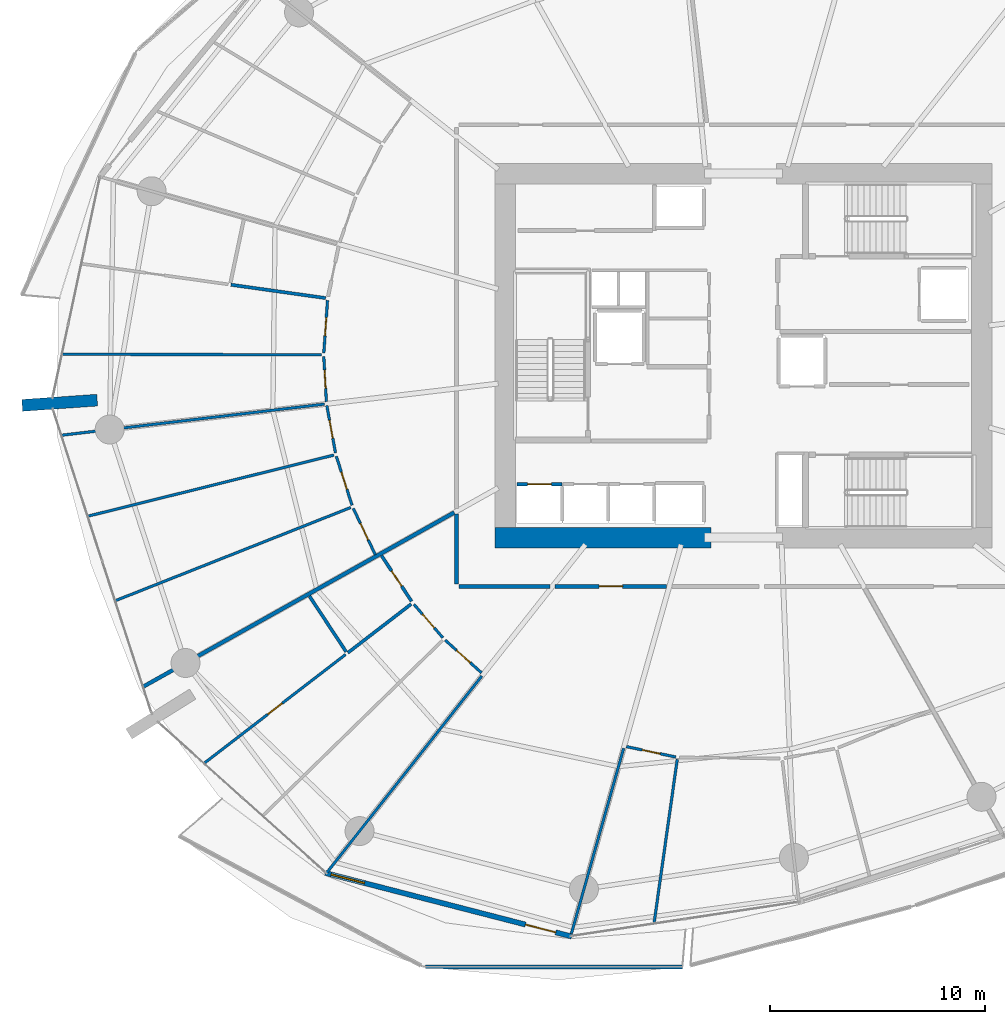
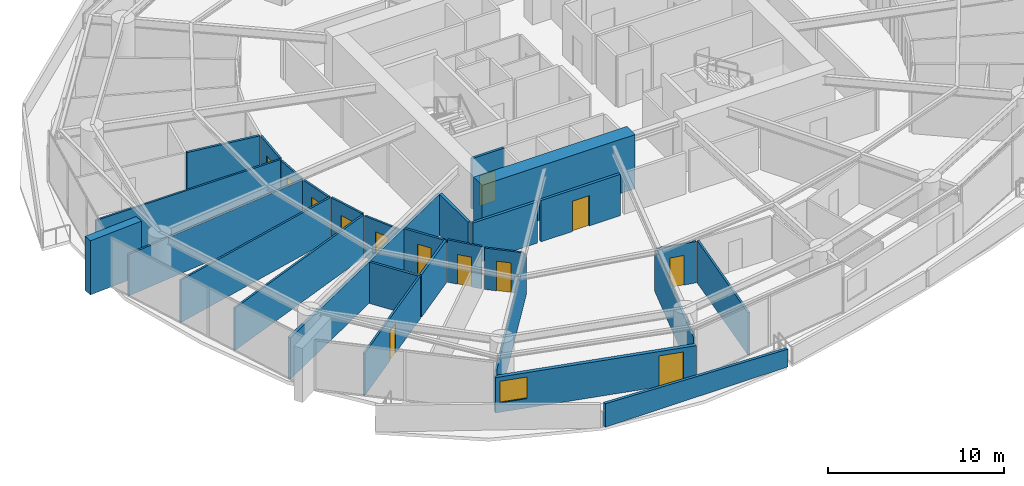
# One storey, part 19 of 31: 29 walls, 13 doors, 1 window, 14 openings.
"""IFC4 building model written with IfcOpenShell, lengths in metres."""

from ifc_helpers import new_model, si_unit, direction, frame, frame_2d, origin, place, context, subcontext, project, spatial, polyline, rectangle, outline, extrude, material, layer, layer_set, type_object, element, fill, save


model = new_model("IFC4")

# Units and contexts
model_context = context("Model", 3, precision=1e-05, world=origin(), true_north=direction((0.0, 1.0)))
body_context = subcontext(model_context, "Body", "Model", "MODEL_VIEW")
ifc_project = project(units=[si_unit("LENGTHUNIT", "METRE"), si_unit("AREAUNIT", "SQUARE_METRE"), si_unit("VOLUMEUNIT", "CUBIC_METRE"), si_unit("PLANEANGLEUNIT", "RADIAN"), si_unit("MASSUNIT", "GRAM", prefix="KILO")], contexts=[model_context])

# Site, building, storey
site_placement = place(None, origin())
site = spatial("IfcSite", under=ifc_project, at=site_placement, CompositionType="ELEMENT")
building_placement = place(site_placement, origin())
building = spatial("IfcBuilding", under=site, at=building_placement, Name="Kazma Halo Residences", CompositionType="ELEMENT")
storey_placement = place(building_placement, frame((0.0, 0.0, 60.14990234375)))
storey = spatial("IfcBuildingStorey", under=building, at=storey_placement, Name="L14", CompositionType="ELEMENT", Elevation=60.14990234375)

# Walls
ifc_material_1 = material(Name="White Concrete C50/60 Balustrade", Category="concrete")
ifc_layer_1 = layer(ifc_material_1, 0.179931640625)
ifc_layer_set_1 = layer_set([ifc_layer_1], Name="White Concrete C50/60 Balustrade")
wall_type_1 = type_object("IfcWallType", Name="WL-BAL-WAVE-180", PredefinedType="PARAPET", material=ifc_layer_set_1)
wall_1_placement = place(storey_placement, frame((33.615478515625, 13.533203125, 0.0), z_axis=(0.0, 0.0, 1.0), x_axis=(0.999999859357, -0.000530363224, 0.0)))
element("IfcWall", 1, at=wall_1_placement, inside=storey, type_object=wall_type_1, Name="L14 white wave balustrade wall SW.2", PredefinedType="PARAPET", context=body_context, shape_type="SweptSolid", body=[
    extrude(outline(polyline([(0.0, 0.0), (11.968505859375, 0.0), (11.968505859375, 1.233154296875), (5.984375, 1.418212890625), (0.0, 1.632080078125), (0.0, 0.0)])), frame((0.0, 0.08984375, 0.0), z_axis=(0.0, -1.0, 0.0), x_axis=(1.0, 0.0, 0.0)), (0.0, 0.0, 1.0), 0.179931640625),
])
ifc_material_2 = material(Name="Pale Concrete C60/75", Category="concrete")
ifc_layer_2 = layer(ifc_material_2, 0.550048828125)
ifc_layer_set_2 = layer_set([ifc_layer_2], Name="Pale Concrete C60/75")
wall_type_2 = type_object("IfcWallType", Name="WL-BLADE-550", PredefinedType="SOLIDWALL", material=ifc_layer_set_2)
wall_2_placement = place(storey_placement, frame((18.322021484375, 39.9248046875, 0.0), z_axis=(0.0, 0.0, 1.0), x_axis=(-0.997564163539, -0.069754853754, 0.0)))
element("IfcWall", 2, at=wall_2_placement, inside=storey, type_object=wall_type_2, Name="L14 pale concrete structural blade fin wall BW-02", PredefinedType="SOLIDWALL", context=body_context, shape_type="SweptSolid", body=[
    extrude(rectangle(XDim=3.5, YDim=0.550048828125, at=frame_2d((1.75, 0.0))), origin(), (0.0, 0.0, 1.0), 3.75),
])
ifc_material_3 = material(Name="Concrete C80/95", Category="concrete")
ifc_layer_3 = layer(ifc_material_3, 0.949951171875)
ifc_layer_set_3 = layer_set([ifc_layer_3], Name="Concrete C80/95")
wall_type_3 = type_object("IfcWallType", Name="WL-CORE-950", PredefinedType="SHEAR", material=ifc_layer_set_3)
wall_3_placement = place(storey_placement, frame((36.85009765625, 33.52490234375, 0.0), z_axis=(0.0, 0.0, 1.0), x_axis=(1.0, 0.0, 0.0)))
element("IfcWall", 3, at=wall_3_placement, inside=storey, type_object=wall_type_3, Name="L14 central core shear wall SW", PredefinedType="SHEAR", context=body_context, shape_type="SweptSolid", body=[
    extrude(rectangle(XDim=10.0498046875, YDim=0.949951171875, at=frame_2d((5.02490234375, 0.0))), origin(), (0.0, 0.0, 1.0), 3.75),
])
ifc_material_4 = material(Name="Acoustic Twin-Stud Gypsum")
ifc_layer_4 = layer(ifc_material_4, 0.179931640625)
ifc_layer_set_4 = layer_set([ifc_layer_4], Name="Acoustic Twin-Stud Gypsum")
wall_type_4 = type_object("IfcWallType", Name="WL-DEM-180", PredefinedType="PARTITIONING", material=ifc_layer_set_4)
wall_4_placement = place(storey_placement, frame((34.9541015625, 34.694091796875, 0.0), z_axis=(0.0, 0.0, 1.0), x_axis=(-0.872493465611, -0.488625779577, 0.0)))
element("IfcWall", 4, at=wall_4_placement, inside=storey, type_object=wall_type_4, Name="L14 apartment demising radial wall 08", PredefinedType="PARTITIONING", context=body_context, shape_type="SweptSolid", body=[
    extrude(rectangle(XDim=16.586181640625, YDim=0.179931640625, at=frame_2d((8.29296875, 0.0))), origin(), (0.0, 0.0, 1.0), 2.8671875),
])

# Wall, opening, door
wall_5_placement = place(storey_placement, frame((39.6455078125, 31.25, 0.0), z_axis=(0.0, 0.0, 1.0), x_axis=(1.0, 0.0, 0.0)))
wall_5 = element("IfcWall", 5, at=wall_5_placement, inside=storey, type_object=wall_type_4, Name="L14 Apartment 2 entrance corridor wall", PredefinedType="PARTITIONING", context=body_context, shape_type="SweptSolid", body=[
    extrude(rectangle(XDim=5.20263671875, YDim=0.179931640625, at=frame_2d((2.601318359375, 0.0))), origin(), (0.0, 0.0, 1.0), 2.8671875),
])
opening_1_placement = place(wall_5_placement, frame((2.051513671875, 0.0, 0.0)))
opening_1 = element("IfcOpeningElement", 6, at=opening_1_placement, cuts=wall_5, Name="Opening DA-1100", PredefinedType="OPENING", context=body_context, shape_type="SweptSolid", body=[
    extrude(rectangle(XDim=1.10009765625, YDim=2.10009765625, at=frame_2d((0.550048828125, 1.050048828125))), frame((0.0, 0.099853515625, 0.0), z_axis=(0.0, -1.0, 0.0), x_axis=(1.0, 0.0, 0.0)), (0.0, 0.0, 1.0), 0.199951171875),
])
ifc_material_5 = material(Name="Acoustic Walnut Fire Leaf")
door_type_1 = type_object("IfcDoorType", Name="DR-FD60-1100", OperationType="NOTDEFINED", PredefinedType="DOOR", material=ifc_material_5)
door_1_placement = place(opening_1_placement, origin())
door_1 = element("IfcDoor", 7, at=door_1_placement, inside=storey, type_object=door_type_1, Name="L14 Apartment 2 entrance fire door", OperationType="SINGLE_SWING_LEFT", OverallHeight=2.10009765625, OverallWidth=1.10009765625, PredefinedType="DOOR", context=body_context, shape_type="SweptSolid", body=[
    extrude(rectangle(XDim=1.10009765625, YDim=2.10009765625, at=frame_2d((0.550048828125, 1.050048828125))), frame((0.0, 0.02490234375, 0.0), z_axis=(0.0, -1.0, 0.0), x_axis=(1.0, 0.0, 0.0)), (0.0, 0.0, 1.0), 0.050048828125),
])
fill(opening_1, door_1)

# Walls
wall_6_placement = place(storey_placement, frame((35.050048828125, 34.627685546875, 0.0), z_axis=(0.0, 0.0, 1.0), x_axis=(0.0, -1.0, 0.0)))
element("IfcWall", 8, at=wall_6_placement, inside=storey, type_object=wall_type_4, Name="L14 Apartment 2 inner wall 8", PredefinedType="PARTITIONING", context=body_context, shape_type="SweptSolid", body=[
    extrude(rectangle(XDim=3.257568359375, YDim=0.179931640625, at=frame_2d((1.62890625, 0.0))), origin(), (0.0, 0.0, 1.0), 2.8671875),
])
wall_7_placement = place(storey_placement, frame((35.169921875, 31.25, 0.0), z_axis=(0.0, 0.0, 1.0), x_axis=(1.0, 0.0, 0.0)))
element("IfcWall", 9, at=wall_7_placement, inside=storey, type_object=wall_type_4, Name="L14 Apartment 2 inner wall 8", PredefinedType="PARTITIONING", context=body_context, shape_type="SweptSolid", body=[
    extrude(rectangle(XDim=4.235595703125, YDim=0.179931640625, at=frame_2d((2.11767578125, 0.0))), origin(), (0.0, 0.0, 1.0), 2.8671875),
])

# Wall, openings, door, window
ifc_material_6 = material(Name="Insulated Pale-Metal Composite Wall")
ifc_layer_5 = layer(ifc_material_6, 0.239990234375)
ifc_layer_set_5 = layer_set([ifc_layer_5], Name="Insulated Pale-Metal Composite Wall")
wall_type_5 = type_object("IfcWallType", Name="WL-EXT-HOST-240", PredefinedType="SOLIDWALL", material=ifc_layer_set_5)
wall_8_placement = place(storey_placement, frame((28.94580078125, 17.90380859375, 0.0), z_axis=(0.0, 0.0, 1.0), x_axis=(0.96833871487, -0.249640007378, 0.0)))
wall_8 = element("IfcWall", 10, at=wall_8_placement, inside=storey, type_object=wall_type_5, Name="L14 exterior terrace-access wall B10", PredefinedType="SOLIDWALL", context=body_context, shape_type="SweptSolid", body=[
    extrude(rectangle(XDim=11.85107421875, YDim=0.239990234375, at=frame_2d((5.925537109375, 0.0))), origin(), (0.0, 0.0, 1.0), 2.4501953125),
])
opening_2_placement = place(wall_8_placement, frame((9.631103515625, 0.0, 0.0)))
opening_2 = element("IfcOpeningElement", 11, at=opening_2_placement, cuts=wall_8, Name="Opening DTR-1600", PredefinedType="OPENING", context=body_context, shape_type="SweptSolid", body=[
    extrude(rectangle(XDim=1.449951171875, YDim=2.14990234375, at=frame_2d((0.72509765625, 1.074951171875))), frame((0.0, 0.1298828125, 0.0), z_axis=(0.0, -1.0, 0.0), x_axis=(1.0, 0.0, 0.0)), (0.0, 0.0, 1.0), 0.260009765625),
])
opening_3_placement = place(wall_8_placement, frame((0.280029296875, 0.0, 0.64990234375)))
opening_3 = element("IfcOpeningElement", 12, at=opening_3_placement, cuts=wall_8, Name="Opening W-1800", PredefinedType="OPENING", context=body_context, shape_type="SweptSolid", body=[
    extrude(rectangle(XDim=1.60009765625, YDim=1.5, at=frame_2d((0.800048828125, 0.75))), frame((0.0, 0.1298828125, 0.0), z_axis=(0.0, -1.0, 0.0), x_axis=(1.0, 0.0, 0.0)), (0.0, 0.0, 1.0), 0.260009765625),
])
ifc_material_7 = material(Name="Aluminium AW-6063 T6 Double-Glazed Terrace Door", Category="aluminium")
door_type_2 = type_object("IfcDoorType", Name="DR-EXT-TERR-1600", OperationType="NOTDEFINED", PredefinedType="DOOR", material=ifc_material_7)
door_2_placement = place(opening_2_placement, origin())
door_2 = element("IfcDoor", 13, at=door_2_placement, inside=storey, type_object=door_type_2, Name="L14 B10 balcony terrace door", OperationType="DOUBLE_DOOR_SLIDING", OverallHeight=2.14990234375, OverallWidth=1.449951171875, PredefinedType="DOOR", context=body_context, shape_type="SweptSolid", body=[
    extrude(rectangle(XDim=1.449951171875, YDim=2.14990234375, at=frame_2d((0.72509765625, 1.074951171875))), frame((0.0, 0.02490234375, 0.0), z_axis=(0.0, -1.0, 0.0), x_axis=(1.0, 0.0, 0.0)), (0.0, 0.0, 1.0), 0.050048828125),
])
fill(opening_2, door_2)
ifc_material_8 = material(Name="Clear Triple-Silver Low-E Glass in Aluminium AW-6063 T6 Frame", Category="aluminium")
window_type = type_object("IfcWindowType", Name="WIN-RES-1800", PartitioningType="DOUBLE_PANEL_VERTICAL", PredefinedType="WINDOW", material=ifc_material_8)
window_placement = place(opening_3_placement, origin())
window = element("IfcWindow", 14, at=window_placement, inside=storey, type_object=window_type, Name="L14 B10 apartment window", OverallHeight=1.5, OverallWidth=1.60009765625, PartitioningType="SINGLE_PANEL", PredefinedType="WINDOW", context=body_context, shape_type="SweptSolid", body=[
    extrude(rectangle(XDim=1.60009765625, YDim=1.5, at=frame_2d((0.800048828125, 0.75))), frame((0.0, 0.030029296875, 0.0), z_axis=(0.0, -1.0, 0.0), x_axis=(1.0, 0.0, 0.0)), (0.0, 0.0, 1.0), 0.06005859375),
])
fill(opening_3, window)

# Wall, opening, door
ifc_material_9 = material(Name="Fire-Rated Blockwork Masonry", Category="masonry")
ifc_layer_6 = layer(ifc_material_9, 0.199951171875)
ifc_layer_set_6 = layer_set([ifc_layer_6], Name="Fire-Rated Blockwork Masonry")
wall_type_6 = type_object("IfcWallType", Name="WL-FLB-200", PredefinedType="PARTITIONING", material=ifc_layer_set_6)
wall_9_placement = place(storey_placement, frame((37.864990234375, 36.0048828125, 0.0), z_axis=(0.0, 0.0, 1.0), x_axis=(1.0, 0.0, 0.0)))
wall_9 = element("IfcWall", 15, at=wall_9_placement, inside=storey, type_object=wall_type_6, Name="L14 lift shaft PL-01 front wall", PredefinedType="PARTITIONING", context=body_context, shape_type="SweptSolid", body=[
    extrude(rectangle(XDim=2.110107421875, YDim=0.159912109375, at=frame_2d((1.05517578125, 0.0))), origin(), (0.0, 0.0, 1.0), 3.5),
])
opening_4_placement = place(wall_9_placement, frame((0.5048828125, 0.0, 0.0)))
opening_4 = element("IfcOpeningElement", 16, at=opening_4_placement, cuts=wall_9, Name="Opening LD-PL-01", PredefinedType="OPENING", context=body_context, shape_type="SweptSolid", body=[
    extrude(rectangle(XDim=1.10009765625, YDim=2.10009765625, at=frame_2d((0.550048828125, 1.050048828125))), frame((0.0, 0.08984375, 0.0), z_axis=(0.0, -1.0, 0.0), x_axis=(1.0, 0.0, 0.0)), (0.0, 0.0, 1.0), 0.179931640625),
])
ifc_material_10 = material(Name="Stainless Steel Fire-Rated", Category="steel")
door_type_3 = type_object("IfcDoorType", Name="DR-LIFT-SLD-1100", OperationType="DOUBLE_DOOR_SLIDING", PredefinedType="DOOR", material=ifc_material_10)
door_3_placement = place(opening_4_placement, origin())
door_3 = element("IfcDoor", 17, at=door_3_placement, inside=storey, type_object=door_type_3, Name="L14 lift PL-01 sliding landing door", OperationType="DOUBLE_DOOR_SLIDING", OverallHeight=2.10009765625, OverallWidth=1.10009765625, PredefinedType="DOOR", context=body_context, shape_type="SweptSolid", body=[
    extrude(rectangle(XDim=1.10009765625, YDim=2.10009765625, at=frame_2d((0.550048828125, 1.050048828125))), frame((0.0, 0.02490234375, 0.0), z_axis=(0.0, -1.0, 0.0), x_axis=(1.0, 0.0, 0.0)), (0.0, 0.0, 1.0), 0.050048828125),
])
fill(opening_4, door_3)

# Wall
ifc_material_11 = material(Name="Gypsum Plasterboard Partition")
ifc_layer_7 = layer(ifc_material_11, 0.125)
ifc_layer_set_7 = layer_set([ifc_layer_7], Name="Gypsum Plasterboard Partition")
wall_type_7 = type_object("IfcWallType", Name="WL-PART-125", PredefinedType="PARTITIONING", material=ifc_layer_set_7)
wall_10_placement = place(storey_placement, frame((28.780029296875, 42.0380859375, 0.0), z_axis=(0.0, 0.0, 1.0), x_axis=(-0.999998036955, 0.001981435282, 0.0)))
element("IfcWall", 18, at=wall_10_placement, inside=storey, type_object=wall_type_7, Name="L14 Apartment 1 suite divider 6", PredefinedType="PARTITIONING", context=body_context, shape_type="SweptSolid", body=[
    extrude(rectangle(XDim=12.074951171875, YDim=0.125, at=frame_2d((6.03759765625, 0.0))), origin(), (0.0, 0.0, 1.0), 2.940185546875),
])

# Wall, opening, door
wall_11_placement = place(storey_placement, frame((29.05029296875, 44.575927734375, 0.0), z_axis=(0.0, 0.0, 1.0), x_axis=(-0.070831673661, -0.997488282641, 0.0)))
wall_11 = element("IfcWall", 19, at=wall_11_placement, inside=storey, type_object=wall_type_7, Name="L14 Apartment 1 Outer Formal Dining Room hall wall", PredefinedType="PARTITIONING", context=body_context, shape_type="SweptSolid", body=[
    extrude(rectangle(XDim=2.46435546875, YDim=0.125, at=frame_2d((1.232177734375, 0.0))), origin(), (0.0, 0.0, 1.0), 2.940185546875),
])
opening_5_placement = place(wall_11_placement, frame((0.80712890625, 0.0, 0.0)))
opening_5 = element("IfcOpeningElement", 20, at=opening_5_placement, cuts=wall_11, Name="Opening DB-900", PredefinedType="OPENING", context=body_context, shape_type="SweptSolid", body=[
    extrude(rectangle(XDim=0.85009765625, YDim=2.06005859375, at=frame_2d((0.425048828125, 1.030029296875))), frame((0.0, 0.072509765625, 0.0), z_axis=(0.0, -1.0, 0.0), x_axis=(1.0, 0.0, 0.0)), (0.0, 0.0, 1.0), 0.14501953125),
])
ifc_material_12 = material(Name="Moisture-Sealed Timber Leaf", Category="wood")
door_type_4 = type_object("IfcDoorType", Name="DR-BTH-900", OperationType="NOTDEFINED", PredefinedType="DOOR", material=ifc_material_12)
door_4_placement = place(opening_5_placement, origin())
door_4 = element("IfcDoor", 21, at=door_4_placement, inside=storey, type_object=door_type_4, Name="L14 Apartment 1 Outer Formal Dining Room door", OperationType="SINGLE_SWING_LEFT", OverallHeight=2.06005859375, OverallWidth=0.85009765625, PredefinedType="DOOR", context=body_context, shape_type="SweptSolid", body=[
    extrude(rectangle(XDim=0.85009765625, YDim=2.06005859375, at=frame_2d((0.425048828125, 1.030029296875))), frame((0.0, 0.02490234375, 0.0), z_axis=(0.0, -1.0, 0.0), x_axis=(1.0, 0.0, 0.0)), (0.0, 0.0, 1.0), 0.050048828125),
])
fill(opening_5, door_4)

wall_12_placement = place(storey_placement, frame((28.87451171875, 41.9580078125, 0.0), z_axis=(0.0, 0.0, 1.0), x_axis=(0.057962417622, -0.998318765797, 0.0)))
wall_12 = element("IfcWall", 22, at=wall_12_placement, inside=storey, type_object=wall_type_7, Name="L14 Apartment 1 Corner Master Bedroom hall wall", PredefinedType="PARTITIONING", context=body_context, shape_type="SweptSolid", body=[
    extrude(rectangle(XDim=2.1103515625, YDim=0.125, at=frame_2d((1.05517578125, 0.0))), origin(), (0.0, 0.0, 1.0), 2.8671875),
])
opening_6_placement = place(wall_12_placement, frame((0.630126953125, 0.0, 0.0)))
opening_6 = element("IfcOpeningElement", 23, at=opening_6_placement, cuts=wall_12, Name="Opening DB-900", PredefinedType="OPENING", context=body_context, shape_type="SweptSolid", body=[
    extrude(rectangle(XDim=0.85009765625, YDim=2.06005859375, at=frame_2d((0.425048828125, 1.030029296875))), frame((0.0, 0.072509765625, 0.0), z_axis=(0.0, -1.0, 0.0), x_axis=(1.0, 0.0, 0.0)), (0.0, 0.0, 1.0), 0.14501953125),
])
door_5_placement = place(opening_6_placement, origin())
door_5 = element("IfcDoor", 24, at=door_5_placement, inside=storey, type_object=door_type_4, Name="L14 Apartment 1 Corner Master Bedroom door", OperationType="SINGLE_SWING_RIGHT", OverallHeight=2.06005859375, OverallWidth=0.85009765625, PredefinedType="DOOR", context=body_context, shape_type="SweptSolid", body=[
    extrude(rectangle(XDim=0.85009765625, YDim=2.06005859375, at=frame_2d((0.425048828125, 1.030029296875))), frame((0.0, 0.02490234375, 0.0), z_axis=(0.0, -1.0, 0.0), x_axis=(1.0, 0.0, 0.0)), (0.0, 0.0, 1.0), 0.050048828125),
])
fill(opening_6, door_5)

# Walls
wall_13_placement = place(storey_placement, frame((28.9033203125, 39.73974609375, 0.0), z_axis=(0.0, 0.0, 1.0), x_axis=(-0.993068040113, -0.117540919282, 0.0)))
element("IfcWall", 25, at=wall_13_placement, inside=storey, type_object=wall_type_7, Name="L14 Apartment 1 radial partition 7", PredefinedType="PARTITIONING", context=body_context, shape_type="SweptSolid", body=[
    extrude(rectangle(XDim=12.30859375, YDim=0.125, at=frame_2d((6.154296875, 0.0))), origin(), (0.0, 0.0, 1.0), 2.8671875),
])
wall_14_placement = place(storey_placement, frame((29.346923828125, 37.366455078125, 0.0), z_axis=(0.0, 0.0, 1.0), x_axis=(-0.970510462135, -0.241059002917, 0.0)))
element("IfcWall", 26, at=wall_14_placement, inside=storey, type_object=wall_type_7, Name="L14 Apartment 1 bay wall 1 7", PredefinedType="PARTITIONING", context=body_context, shape_type="SweptSolid", body=[
    extrude(rectangle(XDim=11.789794921875, YDim=0.125, at=frame_2d((5.89501953125, 0.0))), origin(), (0.0, 0.0, 1.0), 2.940185546875),
])
wall_15_placement = place(storey_placement, frame((30.129638671875, 34.9248046875, 0.0), z_axis=(0.0, 0.0, 1.0), x_axis=(-0.929770978957, -0.368138461302, 0.0)))
element("IfcWall", 27, at=wall_15_placement, inside=storey, type_object=wall_type_7, Name="L14 Apartment 1 bay wall 2 7", PredefinedType="PARTITIONING", context=body_context, shape_type="SweptSolid", body=[
    extrude(rectangle(XDim=11.7734375, YDim=0.125, at=frame_2d((5.88671875, 0.0))), origin(), (0.0, 0.0, 1.0), 2.940185546875),
])

# Wall, opening, door
wall_16_placement = place(storey_placement, frame((29.01708984375, 39.6728515625, 0.0), z_axis=(0.0, 0.0, 1.0), x_axis=(0.179632658462, -0.983733758704, 0.0)))
wall_16 = element("IfcWall", 28, at=wall_16_placement, inside=storey, type_object=wall_type_7, Name="L14 Apartment 1 Garden Master Bedroom hall wall", PredefinedType="PARTITIONING", context=body_context, shape_type="SweptSolid", body=[
    extrude(rectangle(XDim=2.242431640625, YDim=0.125, at=frame_2d((1.12109375, 0.0))), origin(), (0.0, 0.0, 1.0), 2.8671875),
])
opening_7_placement = place(wall_16_placement, frame((0.6962890625, 0.0, 0.0)))
opening_7 = element("IfcOpeningElement", 29, at=opening_7_placement, cuts=wall_16, Name="Opening DB-900", PredefinedType="OPENING", context=body_context, shape_type="SweptSolid", body=[
    extrude(rectangle(XDim=0.85009765625, YDim=2.06005859375, at=frame_2d((0.425048828125, 1.030029296875))), frame((0.0, 0.072509765625, 0.0), z_axis=(0.0, -1.0, 0.0), x_axis=(1.0, 0.0, 0.0)), (0.0, 0.0, 1.0), 0.14501953125),
])
door_6_placement = place(opening_7_placement, origin())
door_6 = element("IfcDoor", 30, at=door_6_placement, inside=storey, type_object=door_type_4, Name="L14 Apartment 1 Garden Master Bedroom door", OperationType="SINGLE_SWING_LEFT", OverallHeight=2.06005859375, OverallWidth=0.85009765625, PredefinedType="DOOR", context=body_context, shape_type="SweptSolid", body=[
    extrude(rectangle(XDim=0.85009765625, YDim=2.06005859375, at=frame_2d((0.425048828125, 1.030029296875))), frame((0.0, 0.02490234375, 0.0), z_axis=(0.0, -1.0, 0.0), x_axis=(1.0, 0.0, 0.0)), (0.0, 0.0, 1.0), 0.050048828125),
])
fill(opening_7, door_6)

wall_17_placement = place(storey_placement, frame((29.45849609375, 37.31201171875, 0.0), z_axis=(0.0, 0.0, 1.0), x_axis=(0.305338513131, -0.952243872335, 0.0)))
wall_17 = element("IfcWall", 31, at=wall_17_placement, inside=storey, type_object=wall_type_7, Name="L14 Apartment 1 Sky Dressing Wardrobe hall wall", PredefinedType="PARTITIONING", context=body_context, shape_type="SweptSolid", body=[
    extrude(rectangle(XDim=2.392333984375, YDim=0.125, at=frame_2d((1.1962890625, 0.0))), origin(), (0.0, 0.0, 1.0), 2.940185546875),
])
opening_8_placement = place(wall_17_placement, frame((0.77099609375, 0.0, 0.0)))
opening_8 = element("IfcOpeningElement", 32, at=opening_8_placement, cuts=wall_17, Name="Opening DB-900", PredefinedType="OPENING", context=body_context, shape_type="SweptSolid", body=[
    extrude(rectangle(XDim=0.85009765625, YDim=2.06005859375, at=frame_2d((0.425048828125, 1.030029296875))), frame((0.0, 0.072509765625, 0.0), z_axis=(0.0, -1.0, 0.0), x_axis=(1.0, 0.0, 0.0)), (0.0, 0.0, 1.0), 0.14501953125),
])
door_7_placement = place(opening_8_placement, origin())
door_7 = element("IfcDoor", 33, at=door_7_placement, inside=storey, type_object=door_type_4, Name="L14 Apartment 1 Sky Dressing Wardrobe door", OperationType="SINGLE_SWING_RIGHT", OverallHeight=2.06005859375, OverallWidth=0.85009765625, PredefinedType="DOOR", context=body_context, shape_type="SweptSolid", body=[
    extrude(rectangle(XDim=0.85009765625, YDim=2.06005859375, at=frame_2d((0.425048828125, 1.030029296875))), frame((0.0, 0.02490234375, 0.0), z_axis=(0.0, -1.0, 0.0), x_axis=(1.0, 0.0, 0.0)), (0.0, 0.0, 1.0), 0.050048828125),
])
fill(opening_8, door_7)

wall_18_placement = place(storey_placement, frame((30.247802734375, 34.885498046875, 0.0), z_axis=(0.0, 0.0, 1.0), x_axis=(0.429366977128, -0.903130111862, 0.0)))
wall_18 = element("IfcWall", 34, at=wall_18_placement, inside=storey, type_object=wall_type_7, Name="L14 Apartment 1 Gulf Master Bedroom hall wall", PredefinedType="PARTITIONING", context=body_context, shape_type="SweptSolid", body=[
    extrude(rectangle(XDim=2.39208984375, YDim=0.125, at=frame_2d((1.196044921875, 0.0))), origin(), (0.0, 0.0, 1.0), 2.8671875),
])
opening_9_placement = place(wall_18_placement, frame((0.77099609375, 0.0, 0.0)))
opening_9 = element("IfcOpeningElement", 35, at=opening_9_placement, cuts=wall_18, Name="Opening DB-900", PredefinedType="OPENING", context=body_context, shape_type="SweptSolid", body=[
    extrude(rectangle(XDim=0.85009765625, YDim=2.06005859375, at=frame_2d((0.425048828125, 1.030029296875))), frame((0.0, 0.072509765625, 0.0), z_axis=(0.0, -1.0, 0.0), x_axis=(1.0, 0.0, 0.0)), (0.0, 0.0, 1.0), 0.14501953125),
])
door_8_placement = place(opening_9_placement, origin())
door_8 = element("IfcDoor", 36, at=door_8_placement, inside=storey, type_object=door_type_4, Name="L14 Apartment 1 Gulf Master Bedroom door", OperationType="SINGLE_SWING_LEFT", OverallHeight=2.06005859375, OverallWidth=0.85009765625, PredefinedType="DOOR", context=body_context, shape_type="SweptSolid", body=[
    extrude(rectangle(XDim=0.85009765625, YDim=2.06005859375, at=frame_2d((0.425048828125, 1.030029296875))), frame((0.0, 0.02490234375, 0.0), z_axis=(0.0, -1.0, 0.0), x_axis=(1.0, 0.0, 0.0)), (0.0, 0.0, 1.0), 0.050048828125),
])
fill(opening_9, door_8)

# Wall
wall_19_placement = place(storey_placement, frame((36.2373046875, 27.0791015625, 0.0), z_axis=(0.0, 0.0, 1.0), x_axis=(-0.619088814595, -0.785320978736, 0.0)))
element("IfcWall", 37, at=wall_19_placement, inside=storey, type_object=wall_type_7, Name="L14 Apartment 2 living radial partition 8", PredefinedType="PARTITIONING", context=body_context, shape_type="SweptSolid", body=[
    extrude(rectangle(XDim=11.674560546875, YDim=0.125, at=frame_2d((5.83740234375, 0.0))), origin(), (0.0, 0.0, 1.0), 2.8671875),
])

# Wall, opening, door
wall_20_placement = place(storey_placement, frame((29.892578125, 28.0791015625, 0.0), z_axis=(0.0, 0.0, 1.0), x_axis=(-0.792808777476, -0.60947046061, 0.0)))
wall_20 = element("IfcWall", 38, at=wall_20_placement, inside=storey, type_object=wall_type_7, Name="L14 Apartment 2 Utility Laundry Room partition wall", PredefinedType="PARTITIONING", context=body_context, shape_type="SweptSolid", body=[
    extrude(rectangle(XDim=8.298828125, YDim=0.125, at=frame_2d((4.1494140625, 0.0))), origin(), (0.0, 0.0, 1.0), 2.940185546875),
])
opening_10_placement = place(wall_20_placement, frame((3.724365234375, 0.0, 0.0)))
opening_10 = element("IfcOpeningElement", 39, at=opening_10_placement, cuts=wall_20, Name="Opening DB-900", PredefinedType="OPENING", context=body_context, shape_type="SweptSolid", body=[
    extrude(rectangle(XDim=0.85009765625, YDim=2.06005859375, at=frame_2d((0.425048828125, 1.030029296875))), frame((0.0, 0.072509765625, 0.0), z_axis=(0.0, -1.0, 0.0), x_axis=(1.0, 0.0, 0.0)), (0.0, 0.0, 1.0), 0.14501953125),
])
door_9_placement = place(opening_10_placement, origin())
door_9 = element("IfcDoor", 40, at=door_9_placement, inside=storey, type_object=door_type_4, Name="L14 Apartment 2 Utility Laundry Room door", OperationType="SINGLE_SWING_RIGHT", OverallHeight=2.06005859375, OverallWidth=0.85009765625, PredefinedType="DOOR", context=body_context, shape_type="SweptSolid", body=[
    extrude(rectangle(XDim=0.85009765625, YDim=2.06005859375, at=frame_2d((0.425048828125, 1.030029296875))), frame((0.0, 0.02490234375, 0.0), z_axis=(0.0, -1.0, 0.0), x_axis=(1.0, 0.0, 0.0)), (0.0, 0.0, 1.0), 0.050048828125),
])
fill(opening_10, door_9)

wall_21_placement = place(storey_placement, frame((33.0751953125, 30.41259765625, 0.0), z_axis=(0.0, 0.0, 1.0), x_axis=(0.655021066846, -0.755610615322, 0.0)))
wall_21 = element("IfcWall", 41, at=wall_21_placement, inside=storey, type_object=wall_type_7, Name="L14 Apartment 2 Gourmet Kitchen hall wall", PredefinedType="PARTITIONING", context=body_context, shape_type="SweptSolid", body=[
    extrude(rectangle(XDim=2.05322265625, YDim=0.125, at=frame_2d((1.026611328125, 0.0))), origin(), (0.0, 0.0, 1.0), 2.940185546875),
])
opening_11_placement = place(wall_21_placement, frame((0.601806640625, 0.0, 0.0)))
opening_11 = element("IfcOpeningElement", 42, at=opening_11_placement, cuts=wall_21, Name="Opening DB-900", PredefinedType="OPENING", context=body_context, shape_type="SweptSolid", body=[
    extrude(rectangle(XDim=0.85009765625, YDim=2.06005859375, at=frame_2d((0.425048828125, 1.030029296875))), frame((0.0, 0.072509765625, 0.0), z_axis=(0.0, -1.0, 0.0), x_axis=(1.0, 0.0, 0.0)), (0.0, 0.0, 1.0), 0.14501953125),
])
door_10_placement = place(opening_11_placement, origin())
door_10 = element("IfcDoor", 43, at=door_10_placement, inside=storey, type_object=door_type_4, Name="L14 Apartment 2 Gourmet Kitchen door", OperationType="SINGLE_SWING_LEFT", OverallHeight=2.06005859375, OverallWidth=0.85009765625, PredefinedType="DOOR", context=body_context, shape_type="SweptSolid", body=[
    extrude(rectangle(XDim=0.85009765625, YDim=2.06005859375, at=frame_2d((0.425048828125, 1.030029296875))), frame((0.0, 0.02490234375, 0.0), z_axis=(0.0, -1.0, 0.0), x_axis=(1.0, 0.0, 0.0)), (0.0, 0.0, 1.0), 0.050048828125),
])
fill(opening_11, door_10)

wall_22_placement = place(storey_placement, frame((34.531982421875, 28.747314453125, 0.0), z_axis=(0.0, 0.0, 1.0), x_axis=(0.743432740472, -0.668810705951, 0.0)))
wall_22 = element("IfcWall", 44, at=wall_22_placement, inside=storey, type_object=wall_type_7, Name="L14 Apartment 2 Master Bedroom hall wall", PredefinedType="PARTITIONING", context=body_context, shape_type="SweptSolid", body=[
    extrude(rectangle(XDim=2.277099609375, YDim=0.125, at=frame_2d((1.138671875, 0.0))), origin(), (0.0, 0.0, 1.0), 2.8671875),
])
opening_12_placement = place(wall_22_placement, frame((0.71337890625, 0.0, 0.0)))
opening_12 = element("IfcOpeningElement", 45, at=opening_12_placement, cuts=wall_22, Name="Opening DB-900", PredefinedType="OPENING", context=body_context, shape_type="SweptSolid", body=[
    extrude(rectangle(XDim=0.85009765625, YDim=2.06005859375, at=frame_2d((0.425048828125, 1.030029296875))), frame((0.0, 0.072509765625, 0.0), z_axis=(0.0, -1.0, 0.0), x_axis=(1.0, 0.0, 0.0)), (0.0, 0.0, 1.0), 0.14501953125),
])
door_11_placement = place(opening_12_placement, origin())
door_11 = element("IfcDoor", 46, at=door_11_placement, inside=storey, type_object=door_type_4, Name="L14 Apartment 2 Master Bedroom door", OperationType="SINGLE_SWING_RIGHT", OverallHeight=2.06005859375, OverallWidth=0.85009765625, PredefinedType="DOOR", context=body_context, shape_type="SweptSolid", body=[
    extrude(rectangle(XDim=0.85009765625, YDim=2.06005859375, at=frame_2d((0.425048828125, 1.030029296875))), frame((0.0, 0.02490234375, 0.0), z_axis=(0.0, -1.0, 0.0), x_axis=(1.0, 0.0, 0.0)), (0.0, 0.0, 1.0), 0.050048828125),
])
fill(opening_12, door_11)

# Walls
wall_23_placement = place(storey_placement, frame((42.8427734375, 23.71337890625, 0.0), z_axis=(0.0, 0.0, 1.0), x_axis=(-0.271456287213, -0.962450769719, 0.0)))
element("IfcWall", 47, at=wall_23_placement, inside=storey, type_object=wall_type_7, Name="L14 Apartment 2 radial partition 10", PredefinedType="PARTITIONING", context=body_context, shape_type="SweptSolid", body=[
    extrude(rectangle(XDim=8.97216796875, YDim=0.125, at=frame_2d((4.486083984375, 0.0))), origin(), (0.0, 0.0, 1.0), 2.8671875),
])
wall_24_placement = place(storey_placement, frame((45.339111328125, 23.197509765625, 0.0), z_axis=(0.0, 0.0, 1.0), x_axis=(-0.140135186141, -0.990132379839, 0.0)))
element("IfcWall", 48, at=wall_24_placement, inside=storey, type_object=wall_type_7, Name="L14 Apartment 2 mid-bay wall 10", PredefinedType="PARTITIONING", context=body_context, shape_type="SweptSolid", body=[
    extrude(rectangle(XDim=7.70751953125, YDim=0.125, at=frame_2d((3.853759765625, 0.0))), origin(), (0.0, 0.0, 1.0), 2.940185546875),
])

# Wall, opening, door
wall_25_placement = place(storey_placement, frame((42.9677734375, 23.7890625, 0.0), z_axis=(0.0, 0.0, 1.0), x_axis=(0.978491482484, -0.206287223806, 0.0)))
wall_25 = element("IfcWall", 49, at=wall_25_placement, inside=storey, type_object=wall_type_7, Name="L14 Apartment 2 East Bedroom hall wall", PredefinedType="PARTITIONING", context=body_context, shape_type="SweptSolid", body=[
    extrude(rectangle(XDim=2.3564453125, YDim=0.125, at=frame_2d((1.17822265625, 0.0))), origin(), (0.0, 0.0, 1.0), 2.8671875),
])
opening_13_placement = place(wall_25_placement, frame((0.753173828125, 0.0, 0.0)))
opening_13 = element("IfcOpeningElement", 50, at=opening_13_placement, cuts=wall_25, Name="Opening DB-900", PredefinedType="OPENING", context=body_context, shape_type="SweptSolid", body=[
    extrude(rectangle(XDim=0.85009765625, YDim=2.06005859375, at=frame_2d((0.425048828125, 1.030029296875))), frame((0.0, 0.072509765625, 0.0), z_axis=(0.0, -1.0, 0.0), x_axis=(1.0, 0.0, 0.0)), (0.0, 0.0, 1.0), 0.14501953125),
])
door_12_placement = place(opening_13_placement, origin())
door_12 = element("IfcDoor", 51, at=door_12_placement, inside=storey, type_object=door_type_4, Name="L14 Apartment 2 East Bedroom door", OperationType="SINGLE_SWING_LEFT", OverallHeight=2.06005859375, OverallWidth=0.85009765625, PredefinedType="DOOR", context=body_context, shape_type="SweptSolid", body=[
    extrude(rectangle(XDim=0.85009765625, YDim=2.06005859375, at=frame_2d((0.425048828125, 1.030029296875))), frame((0.0, 0.02490234375, 0.0), z_axis=(0.0, -1.0, 0.0), x_axis=(1.0, 0.0, 0.0)), (0.0, 0.0, 1.0), 0.050048828125),
])
fill(opening_13, door_12)

# Wall
ifc_material_13 = material(Name="Moisture-Resistant Gypsum")
ifc_layer_8 = layer(ifc_material_13, 0.14990234375)
ifc_layer_set_8 = layer_set([ifc_layer_8], Name="Moisture-Resistant Gypsum")
wall_type_8 = type_object("IfcWallType", Name="WL-WET-150", PredefinedType="PARTITIONING", material=ifc_layer_set_8)
wall_26_placement = place(storey_placement, frame((28.967529296875, 44.67822265625, 0.0), z_axis=(0.0, 0.0, 1.0), x_axis=(-0.990240767804, 0.139367219172, 0.0)))
element("IfcWall", 52, at=wall_26_placement, inside=storey, type_object=wall_type_8, Name="L14 Apartment 1 South En-Suite Bathroom side wall", PredefinedType="PARTITIONING", context=body_context, shape_type="SweptSolid", body=[
    extrude(rectangle(XDim=4.4599609375, YDim=0.14990234375, at=frame_2d((2.22998046875, 0.0))), origin(), (0.0, 0.0, 1.0), 2.940185546875),
])

# Wall, opening, door
wall_27_placement = place(storey_placement, frame((31.56494140625, 32.681640625, 0.0), z_axis=(0.0, 0.0, 1.0), x_axis=(0.550533618108, -0.834812994229, 0.0)))
wall_27 = element("IfcWall", 53, at=wall_27_placement, inside=storey, type_object=wall_type_8, Name="L14 Apartment 2 Guest Bathroom hall wall", PredefinedType="PARTITIONING", context=body_context, shape_type="SweptSolid", body=[
    extrude(rectangle(XDim=2.54638671875, YDim=0.14990234375, at=frame_2d((1.273193359375, 0.0))), origin(), (0.0, 0.0, 1.0), 2.8671875),
])
opening_14_placement = place(wall_27_placement, frame((0.84814453125, 0.0, 0.0)))
opening_14 = element("IfcOpeningElement", 54, at=opening_14_placement, cuts=wall_27, Name="Opening DB-900", PredefinedType="OPENING", context=body_context, shape_type="SweptSolid", body=[
    extrude(rectangle(XDim=0.85009765625, YDim=2.06005859375, at=frame_2d((0.425048828125, 1.030029296875))), frame((0.0, 0.0849609375, 0.0), z_axis=(0.0, -1.0, 0.0), x_axis=(1.0, 0.0, 0.0)), (0.0, 0.0, 1.0), 0.169921875),
])
door_13_placement = place(opening_14_placement, origin())
door_13 = element("IfcDoor", 55, at=door_13_placement, inside=storey, type_object=door_type_4, Name="L14 Apartment 2 Guest Bathroom door", OperationType="SINGLE_SWING_LEFT", OverallHeight=2.06005859375, OverallWidth=0.85009765625, PredefinedType="DOOR", context=body_context, shape_type="SweptSolid", body=[
    extrude(rectangle(XDim=0.85009765625, YDim=2.06005859375, at=frame_2d((0.425048828125, 1.030029296875))), frame((0.0, 0.02490234375, 0.0), z_axis=(0.0, -1.0, 0.0), x_axis=(1.0, 0.0, 0.0)), (0.0, 0.0, 1.0), 0.050048828125),
])
fill(opening_14, door_13)

# Walls
wall_28_placement = place(storey_placement, frame((28.205810546875, 30.80029296875, 0.0), z_axis=(0.0, 0.0, 1.0), x_axis=(0.550481610401, -0.834847289395, 0.0)))
element("IfcWall", 56, at=wall_28_placement, inside=storey, type_object=wall_type_8, Name="L14 Apartment 2 Guest Bathroom back wall", PredefinedType="PARTITIONING", context=body_context, shape_type="SweptSolid", body=[
    extrude(rectangle(XDim=3.103759765625, YDim=0.14990234375, at=frame_2d((1.5517578125, 0.0))), origin(), (0.0, 0.0, 1.0), 2.8671875),
])
wall_29_placement = place(storey_placement, frame((32.94482421875, 30.42578125, 0.0), z_axis=(0.0, 0.0, 1.0), x_axis=(-0.79279229966, -0.609491894614, 0.0)))
element("IfcWall", 57, at=wall_29_placement, inside=storey, type_object=wall_type_8, Name="L14 Apartment 2 Guest Bathroom side wall", PredefinedType="PARTITIONING", context=body_context, shape_type="SweptSolid", body=[
    extrude(rectangle(XDim=3.719970703125, YDim=0.14990234375, at=frame_2d((1.85986328125, 0.0))), origin(), (0.0, 0.0, 1.0), 2.940185546875),
])

save(model, "model.ifc")
